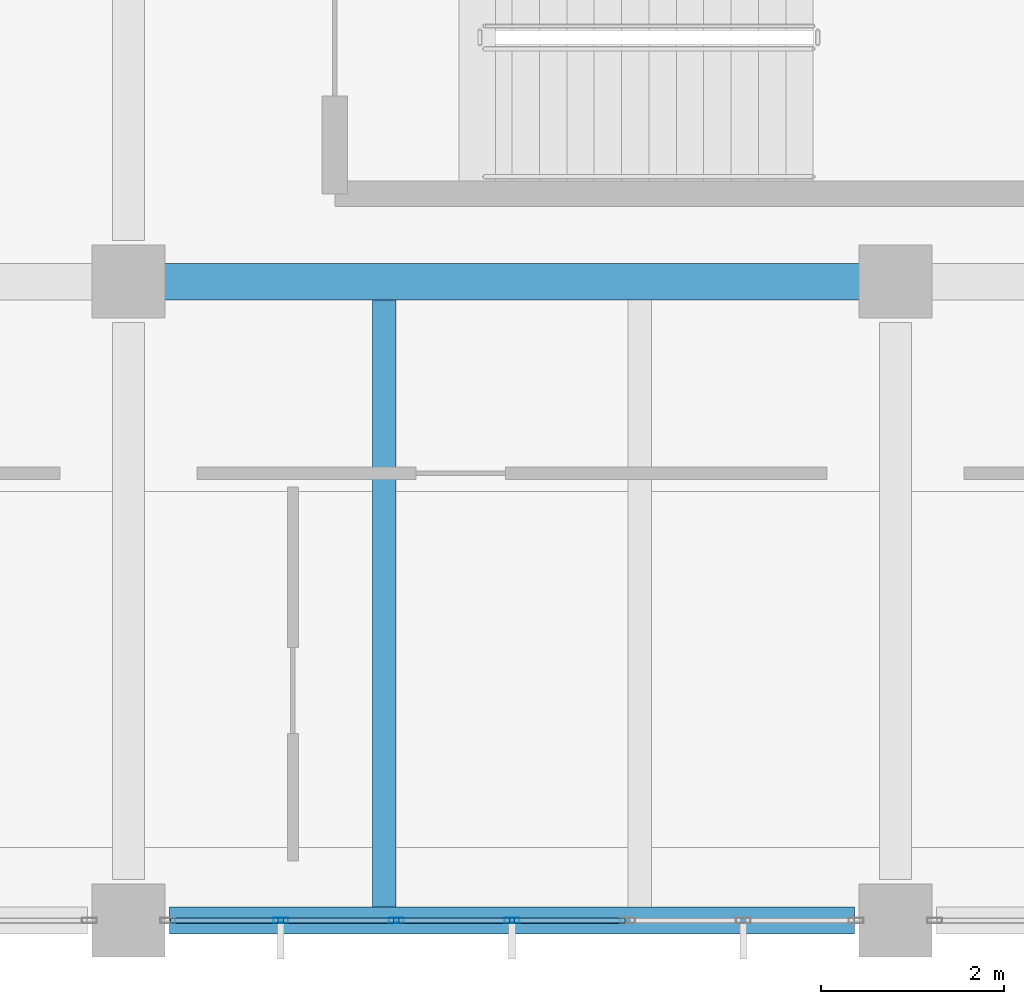
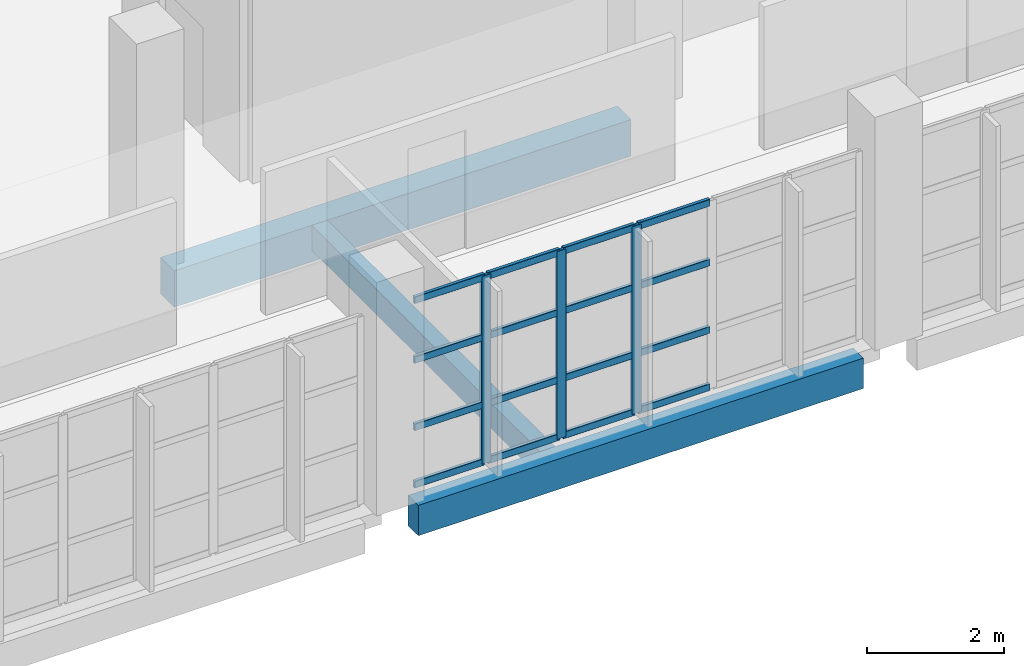
# One storey, part 18 of 177: 19 members, 3 beams, 1 element without a shape of its own.
"""IFC4 building model written with IfcOpenShell, lengths in metres."""

from ifc_helpers import new_model, si_unit, direction, frame, origin, origin_2d, place, context, subcontext, project, spatial, rectangle, hollow_rectangle, extrude, material, layer, layer_set, material_profile, profile_set, type_object, element, aggregate, save


model = new_model("IFC4")

# Units and contexts
model_context = context("Model", 3, precision=1e-05, world=origin(), true_north=direction((0.0, 1.0)))
body_context = subcontext(model_context, "Body", "Model", "MODEL_VIEW")
ifc_project = project(units=[si_unit("LENGTHUNIT", "METRE"), si_unit("AREAUNIT", "SQUARE_METRE"), si_unit("VOLUMEUNIT", "CUBIC_METRE"), si_unit("PLANEANGLEUNIT", "RADIAN"), si_unit("MASSUNIT", "GRAM", prefix="KILO"), si_unit("THERMODYNAMICTEMPERATUREUNIT", "KELVIN"), si_unit("POWERUNIT", "WATT")], contexts=[model_context])

# Site, building, storey
site_placement = place(None, origin())
site = spatial("IfcSite", under=ifc_project, at=site_placement, CompositionType="ELEMENT")
building_placement = place(site_placement, origin())
building = spatial("IfcBuilding", under=site, at=building_placement, Name="Mavoryth Pier Ferry Terminal", CompositionType="ELEMENT")
storey_placement = place(building_placement, frame((0.0, 0.0, 5.43994140625)))
storey = spatial("IfcBuildingStorey", under=building, at=storey_placement, Name="L01", CompositionType="ELEMENT", Elevation=5.43994140625)

# Beams
ifc_material_1 = material(Name="Concrete C35/45", Category="concrete")
ifc_material_profile_1 = material_profile(ifc_material_1, rectangle(XDim=0.39990234375, YDim=0.64990234375, at=origin_2d()), Name="RC 400x650", Category="concrete")
ifc_profile_set_1 = profile_set([ifc_material_profile_1], Name="Concrete C35/45 - RC 400x650")
beam_type_1 = type_object("IfcBeamType", Name="Girder-RC-400x650", PredefinedType="BEAM", material=ifc_profile_set_1)
beam_1_placement = place(storey_placement, frame((59.14990234375, 7.0, -0.5849609375), z_axis=(1.0, 0.0, 0.0), x_axis=(0.0, 1.0, 0.0)))
element("IfcBeam", 1, at=beam_1_placement, inside=storey, type_object=beam_type_1, Name="Beam B01-BG05-0518", PredefinedType="BEAM", context=body_context, shape_type="SweptSolid", body=[
    extrude(rectangle(XDim=0.39990234375, YDim=0.64990234375, at=origin_2d()), origin(), (0.0, 0.0, 1.0), 7.7001953125),
])
ifc_material_profile_2 = material_profile(ifc_material_1, rectangle(XDim=0.260009765625, YDim=0.449951171875, at=origin_2d()), Name="RC 260x450", Category="concrete")
ifc_profile_set_2 = profile_set([ifc_material_profile_2], Name="Concrete C35/45 - RC 260x450")
beam_type_2 = type_object("IfcBeamType", Name="Joist-RC-260x450", PredefinedType="JOIST", material=ifc_profile_set_2)
beam_2_placement = place(storey_placement, frame((61.60009765625, 0.14990234375, -0.48486328125), z_axis=(0.0, 1.0, 0.0), x_axis=(-1.0, 0.0, 0.0)))
element("IfcBeam", 2, at=beam_2_placement, inside=storey, type_object=beam_type_2, Name="Beam B01-BJ03-0565", PredefinedType="JOIST", context=body_context, shape_type="SweptSolid", body=[
    extrude(rectangle(XDim=0.260009765625, YDim=0.449951171875, at=origin_2d()), origin(), (0.0, 0.0, 1.0), 6.650146484375),
])

# Curtain wall, members
ifc_material_2 = material(Name="Anodised Aluminium and Solar-Control Low-E Glass", Category="aluminium")
ifc_layer = layer(ifc_material_2, 0.239990234375, Name="Anodised Aluminium and Solar-Control Low-E Glass", Category="aluminium")
ifc_layer_set = layer_set([ifc_layer], Name="Anodised Aluminium and Solar-Control Low-E Glass - CW-Operations-Mod1200")
curtain_wall_type = type_object("IfcCurtainWallType", Name="CW-Operations-Mod1200", PredefinedType="USERDEFINED", material=ifc_layer_set)
curtain_wall_placement = place(storey_placement, origin())
curtain_wall = element("IfcCurtainWall", 3, at=curtain_wall_placement, inside=storey, type_object=curtain_wall_type, Name="Curtain Wall CW-0122-112", ObjectType="UNITISED CURTAIN WALL", PredefinedType="USERDEFINED")
ifc_material_3 = material(Name="Anodised Aluminium EN AW-6063", Category="aluminium")
ifc_material_profile_3 = material_profile(ifc_material_3, hollow_rectangle(XDim=0.06005859375, YDim=0.1650390625, WallThickness=0.00390625, InnerFilletRadius=0.00390625, OuterFilletRadius=0.008056640625, at=origin_2d()), Name="AL-MULL 165x60x4", Category="aluminium")
ifc_profile_set_3 = profile_set([ifc_material_profile_3], Name="Anodised Aluminium EN AW-6063 - AL-MULL 165x60x4")
member_type_1 = type_object("IfcMemberType", Name="Mullion-Alum-165x60", PredefinedType="MULLION", material=ifc_profile_set_3)
member_1_placement = place(storey_placement, frame((60.466552734375, 0.0, 0.0), z_axis=(0.0, 0.0, 1.0), x_axis=(0.0, 1.0, 0.0)))
member_1 = element("IfcMember", 4, at=member_1_placement, type_object=member_type_1, Name="CW06 mullion 2", PredefinedType="MULLION", context=body_context, shape_type="SweptSolid", body=[
    extrude(hollow_rectangle(XDim=0.06005859375, YDim=0.1650390625, WallThickness=0.00390625, InnerFilletRadius=0.00390625, OuterFilletRadius=0.008056640625, at=origin_2d()), origin(), (0.0, 0.0, 1.0), 3.344970703125),
])
member_2_placement = place(storey_placement, frame((61.7333984375, 0.0, 0.0), z_axis=(0.0, 0.0, 1.0), x_axis=(0.0, 1.0, 0.0)))
member_2 = element("IfcMember", 5, at=member_2_placement, type_object=member_type_1, Name="CW06 mullion 3", PredefinedType="MULLION", context=body_context, shape_type="SweptSolid", body=[
    extrude(hollow_rectangle(XDim=0.06005859375, YDim=0.1650390625, WallThickness=0.00390625, InnerFilletRadius=0.00390625, OuterFilletRadius=0.008056640625, at=origin_2d()), origin(), (0.0, 0.0, 1.0), 3.344970703125),
])
member_3_placement = place(storey_placement, frame((63.0, 0.0, 0.0), z_axis=(0.0, 0.0, 1.0), x_axis=(0.0, 1.0, 0.0)))
member_3 = element("IfcMember", 6, at=member_3_placement, type_object=member_type_1, Name="CW06 mullion 4", PredefinedType="MULLION", context=body_context, shape_type="SweptSolid", body=[
    extrude(hollow_rectangle(XDim=0.06005859375, YDim=0.1650390625, WallThickness=0.00390625, InnerFilletRadius=0.00390625, OuterFilletRadius=0.008056640625, at=origin_2d()), origin(), (0.0, 0.0, 1.0), 3.344970703125),
])

# Beam
ifc_material_profile_4 = material_profile(ifc_material_1, rectangle(XDim=0.300048828125, YDim=0.5400390625, at=origin_2d()), Name="RC 300x540", Category="concrete")
ifc_profile_set_4 = profile_set([ifc_material_profile_4], Name="Concrete C35/45 - RC 300x540")
beam_type_3 = type_object("IfcBeamType", Name="Spandrel-RC-300x540", PredefinedType="SPANDREL", material=ifc_profile_set_4)
beam_3_placement = place(storey_placement, frame((59.25, 0.0, -0.530029296875), z_axis=(1.0, 0.0, 0.0), x_axis=(0.0, 1.0, 0.0)))
element("IfcBeam", 7, at=beam_3_placement, inside=storey, type_object=beam_type_3, Name="Beam B01-SP02-0512", PredefinedType="SPANDREL", context=body_context, shape_type="SweptSolid", body=[
    extrude(rectangle(XDim=0.300048828125, YDim=0.5400390625, at=origin_2d()), origin(), (0.0, 0.0, 1.0), 7.5),
])

# Member
ifc_material_profile_5 = material_profile(ifc_material_3, hollow_rectangle(XDim=0.06005859375, YDim=0.125, WallThickness=0.00390625, InnerFilletRadius=0.00390625, OuterFilletRadius=0.008056640625, at=origin_2d()), Name="AL-TRAN 125x60x4", Category="aluminium")
ifc_profile_set_5 = profile_set([ifc_material_profile_5], Name="Anodised Aluminium EN AW-6063 - AL-TRAN 125x60x4")
member_type_2 = type_object("IfcMemberType", Name="Transom-Alum-125x60", PredefinedType="USERDEFINED", material=ifc_profile_set_5)
member_4_placement = place(storey_placement, frame((59.260009765625, 0.0, 0.030029296875), z_axis=(1.0, 0.0, 0.0), x_axis=(0.0, 1.0, 0.0)))
member_4 = element("IfcMember", 8, at=member_4_placement, type_object=member_type_2, Name="CW06 transom 1.1", ObjectType="TRANSOM", PredefinedType="USERDEFINED", context=body_context, shape_type="SweptSolid", body=[
    extrude(hollow_rectangle(XDim=0.06005859375, YDim=0.125, WallThickness=0.00390625, InnerFilletRadius=0.00390625, OuterFilletRadius=0.008056640625, at=origin_2d()), origin(), (0.0, 0.0, 1.0), 1.1767578125),
])

member_5_placement = place(storey_placement, frame((59.260009765625, 0.0, 1.050048828125), z_axis=(1.0, 0.0, 0.0), x_axis=(0.0, 1.0, 0.0)))
member_5 = element("IfcMember", 9, at=member_5_placement, type_object=member_type_2, Name="CW06 transom 1.2", ObjectType="TRANSOM", PredefinedType="USERDEFINED", context=body_context, shape_type="SweptSolid", body=[
    extrude(hollow_rectangle(XDim=0.06005859375, YDim=0.125, WallThickness=0.00390625, InnerFilletRadius=0.00390625, OuterFilletRadius=0.008056640625, at=origin_2d()), origin(), (0.0, 0.0, 1.0), 1.1767578125),
])

member_6_placement = place(storey_placement, frame((59.260009765625, 0.0, 2.25), z_axis=(1.0, 0.0, 0.0), x_axis=(0.0, 1.0, 0.0)))
member_6 = element("IfcMember", 10, at=member_6_placement, type_object=member_type_2, Name="CW06 transom 1.3", ObjectType="TRANSOM", PredefinedType="USERDEFINED", context=body_context, shape_type="SweptSolid", body=[
    extrude(hollow_rectangle(XDim=0.06005859375, YDim=0.125, WallThickness=0.00390625, InnerFilletRadius=0.00390625, OuterFilletRadius=0.008056640625, at=origin_2d()), origin(), (0.0, 0.0, 1.0), 1.1767578125),
])

member_7_placement = place(storey_placement, frame((59.260009765625, 0.0, 3.31494140625), z_axis=(1.0, 0.0, 0.0), x_axis=(0.0, 1.0, 0.0)))
member_7 = element("IfcMember", 11, at=member_7_placement, type_object=member_type_2, Name="CW06 transom 1.4", ObjectType="TRANSOM", PredefinedType="USERDEFINED", context=body_context, shape_type="SweptSolid", body=[
    extrude(hollow_rectangle(XDim=0.06005859375, YDim=0.125, WallThickness=0.00390625, InnerFilletRadius=0.00390625, OuterFilletRadius=0.008056640625, at=origin_2d()), origin(), (0.0, 0.0, 1.0), 1.1767578125),
])

member_8_placement = place(storey_placement, frame((60.49658203125, 0.0, 0.030029296875), z_axis=(1.0, 0.0, 0.0), x_axis=(0.0, 1.0, 0.0)))
member_8 = element("IfcMember", 12, at=member_8_placement, type_object=member_type_2, Name="CW06 transom 2.1", ObjectType="TRANSOM", PredefinedType="USERDEFINED", context=body_context, shape_type="SweptSolid", body=[
    extrude(hollow_rectangle(XDim=0.06005859375, YDim=0.125, WallThickness=0.00390625, InnerFilletRadius=0.00390625, OuterFilletRadius=0.008056640625, at=origin_2d()), origin(), (0.0, 0.0, 1.0), 1.206787109375),
])

member_9_placement = place(storey_placement, frame((60.49658203125, 0.0, 1.050048828125), z_axis=(1.0, 0.0, 0.0), x_axis=(0.0, 1.0, 0.0)))
member_9 = element("IfcMember", 13, at=member_9_placement, type_object=member_type_2, Name="CW06 transom 2.2", ObjectType="TRANSOM", PredefinedType="USERDEFINED", context=body_context, shape_type="SweptSolid", body=[
    extrude(hollow_rectangle(XDim=0.06005859375, YDim=0.125, WallThickness=0.00390625, InnerFilletRadius=0.00390625, OuterFilletRadius=0.008056640625, at=origin_2d()), origin(), (0.0, 0.0, 1.0), 1.206787109375),
])

member_10_placement = place(storey_placement, frame((60.49658203125, 0.0, 2.25), z_axis=(1.0, 0.0, 0.0), x_axis=(0.0, 1.0, 0.0)))
member_10 = element("IfcMember", 14, at=member_10_placement, type_object=member_type_2, Name="CW06 transom 2.3", ObjectType="TRANSOM", PredefinedType="USERDEFINED", context=body_context, shape_type="SweptSolid", body=[
    extrude(hollow_rectangle(XDim=0.06005859375, YDim=0.125, WallThickness=0.00390625, InnerFilletRadius=0.00390625, OuterFilletRadius=0.008056640625, at=origin_2d()), origin(), (0.0, 0.0, 1.0), 1.206787109375),
])

member_11_placement = place(storey_placement, frame((60.49658203125, 0.0, 3.31494140625), z_axis=(1.0, 0.0, 0.0), x_axis=(0.0, 1.0, 0.0)))
member_11 = element("IfcMember", 15, at=member_11_placement, type_object=member_type_2, Name="CW06 transom 2.4", ObjectType="TRANSOM", PredefinedType="USERDEFINED", context=body_context, shape_type="SweptSolid", body=[
    extrude(hollow_rectangle(XDim=0.06005859375, YDim=0.125, WallThickness=0.00390625, InnerFilletRadius=0.00390625, OuterFilletRadius=0.008056640625, at=origin_2d()), origin(), (0.0, 0.0, 1.0), 1.206787109375),
])

member_12_placement = place(storey_placement, frame((61.763427734375, 0.0, 0.030029296875), z_axis=(1.0, 0.0, 0.0), x_axis=(0.0, 1.0, 0.0)))
member_12 = element("IfcMember", 16, at=member_12_placement, type_object=member_type_2, Name="CW06 transom 3.1", ObjectType="TRANSOM", PredefinedType="USERDEFINED", context=body_context, shape_type="SweptSolid", body=[
    extrude(hollow_rectangle(XDim=0.06005859375, YDim=0.125, WallThickness=0.00390625, InnerFilletRadius=0.00390625, OuterFilletRadius=0.008056640625, at=origin_2d()), origin(), (0.0, 0.0, 1.0), 1.20654296875),
])

member_13_placement = place(storey_placement, frame((61.763427734375, 0.0, 1.050048828125), z_axis=(1.0, 0.0, 0.0), x_axis=(0.0, 1.0, 0.0)))
member_13 = element("IfcMember", 17, at=member_13_placement, type_object=member_type_2, Name="CW06 transom 3.2", ObjectType="TRANSOM", PredefinedType="USERDEFINED", context=body_context, shape_type="SweptSolid", body=[
    extrude(hollow_rectangle(XDim=0.06005859375, YDim=0.125, WallThickness=0.00390625, InnerFilletRadius=0.00390625, OuterFilletRadius=0.008056640625, at=origin_2d()), origin(), (0.0, 0.0, 1.0), 1.20654296875),
])

member_14_placement = place(storey_placement, frame((61.763427734375, 0.0, 2.25), z_axis=(1.0, 0.0, 0.0), x_axis=(0.0, 1.0, 0.0)))
member_14 = element("IfcMember", 18, at=member_14_placement, type_object=member_type_2, Name="CW06 transom 3.3", ObjectType="TRANSOM", PredefinedType="USERDEFINED", context=body_context, shape_type="SweptSolid", body=[
    extrude(hollow_rectangle(XDim=0.06005859375, YDim=0.125, WallThickness=0.00390625, InnerFilletRadius=0.00390625, OuterFilletRadius=0.008056640625, at=origin_2d()), origin(), (0.0, 0.0, 1.0), 1.20654296875),
])

member_15_placement = place(storey_placement, frame((61.763427734375, 0.0, 3.31494140625), z_axis=(1.0, 0.0, 0.0), x_axis=(0.0, 1.0, 0.0)))
member_15 = element("IfcMember", 19, at=member_15_placement, type_object=member_type_2, Name="CW06 transom 3.4", ObjectType="TRANSOM", PredefinedType="USERDEFINED", context=body_context, shape_type="SweptSolid", body=[
    extrude(hollow_rectangle(XDim=0.06005859375, YDim=0.125, WallThickness=0.00390625, InnerFilletRadius=0.00390625, OuterFilletRadius=0.008056640625, at=origin_2d()), origin(), (0.0, 0.0, 1.0), 1.20654296875),
])

member_16_placement = place(storey_placement, frame((63.030029296875, 0.0, 0.030029296875), z_axis=(1.0, 0.0, 0.0), x_axis=(0.0, 1.0, 0.0)))
member_16 = element("IfcMember", 20, at=member_16_placement, type_object=member_type_2, Name="CW06 transom 4.1", ObjectType="TRANSOM", PredefinedType="USERDEFINED", context=body_context, shape_type="SweptSolid", body=[
    extrude(hollow_rectangle(XDim=0.06005859375, YDim=0.125, WallThickness=0.00390625, InnerFilletRadius=0.00390625, OuterFilletRadius=0.008056640625, at=origin_2d()), origin(), (0.0, 0.0, 1.0), 1.20654296875),
])

member_17_placement = place(storey_placement, frame((63.030029296875, 0.0, 1.050048828125), z_axis=(1.0, 0.0, 0.0), x_axis=(0.0, 1.0, 0.0)))
member_17 = element("IfcMember", 21, at=member_17_placement, type_object=member_type_2, Name="CW06 transom 4.2", ObjectType="TRANSOM", PredefinedType="USERDEFINED", context=body_context, shape_type="SweptSolid", body=[
    extrude(hollow_rectangle(XDim=0.06005859375, YDim=0.125, WallThickness=0.00390625, InnerFilletRadius=0.00390625, OuterFilletRadius=0.008056640625, at=origin_2d()), origin(), (0.0, 0.0, 1.0), 1.20654296875),
])

member_18_placement = place(storey_placement, frame((63.030029296875, 0.0, 2.25), z_axis=(1.0, 0.0, 0.0), x_axis=(0.0, 1.0, 0.0)))
member_18 = element("IfcMember", 22, at=member_18_placement, type_object=member_type_2, Name="CW06 transom 4.3", ObjectType="TRANSOM", PredefinedType="USERDEFINED", context=body_context, shape_type="SweptSolid", body=[
    extrude(hollow_rectangle(XDim=0.06005859375, YDim=0.125, WallThickness=0.00390625, InnerFilletRadius=0.00390625, OuterFilletRadius=0.008056640625, at=origin_2d()), origin(), (0.0, 0.0, 1.0), 1.20654296875),
])

member_19_placement = place(storey_placement, frame((63.030029296875, 0.0, 3.31494140625), z_axis=(1.0, 0.0, 0.0), x_axis=(0.0, 1.0, 0.0)))
member_19 = element("IfcMember", 23, at=member_19_placement, type_object=member_type_2, Name="CW06 transom 4.4", ObjectType="TRANSOM", PredefinedType="USERDEFINED", context=body_context, shape_type="SweptSolid", body=[
    extrude(hollow_rectangle(XDim=0.06005859375, YDim=0.125, WallThickness=0.00390625, InnerFilletRadius=0.00390625, OuterFilletRadius=0.008056640625, at=origin_2d()), origin(), (0.0, 0.0, 1.0), 1.20654296875),
])

aggregate(curtain_wall, [member_1, member_2, member_3, member_4, member_5, member_6, member_7, member_8, member_9, member_10, member_11, member_12, member_13, member_14, member_15, member_16, member_17, member_18, member_19])

save(model, "model.ifc")
